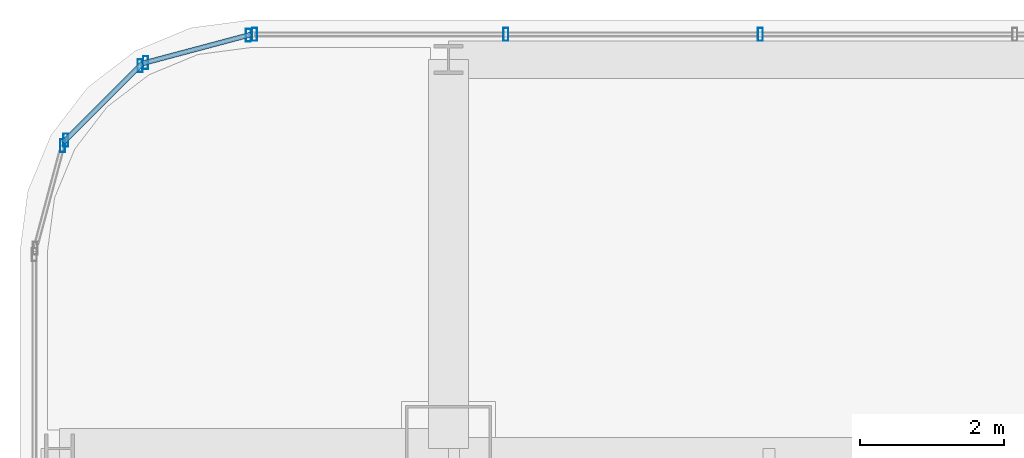
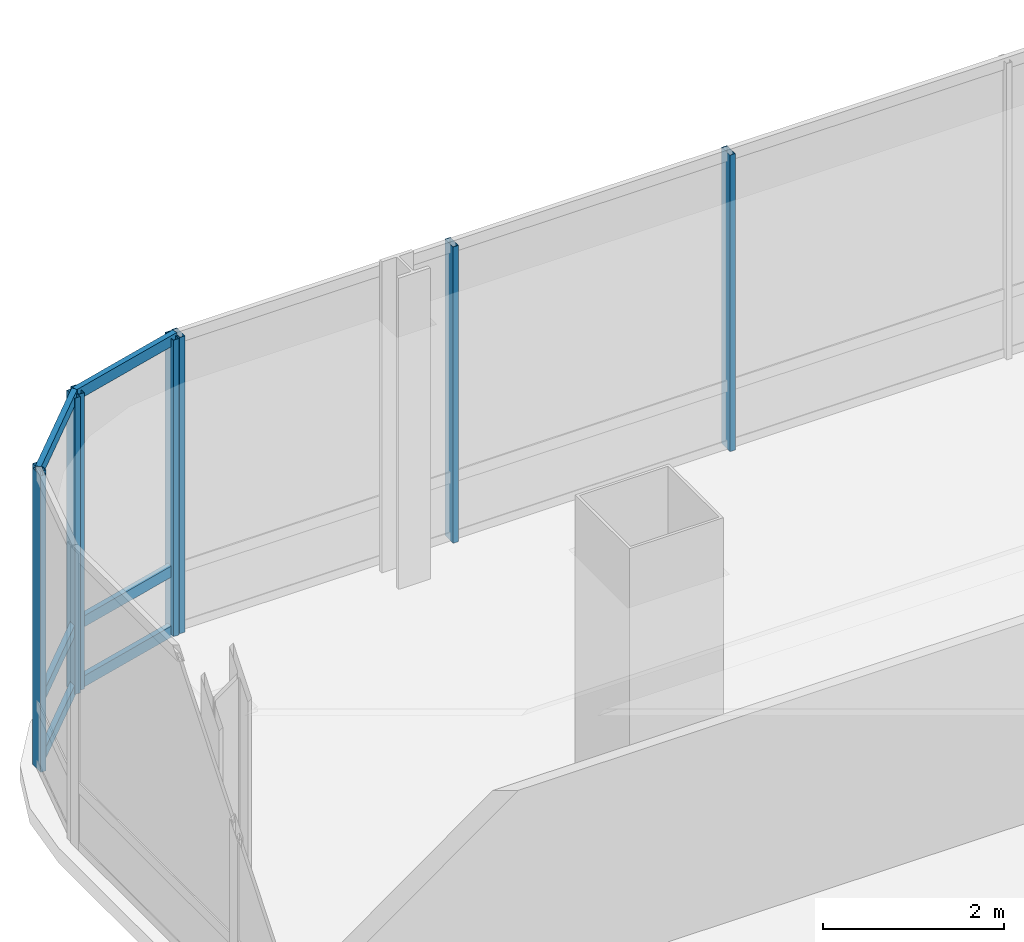
# One storey, part 23 of 41: 14 members, 4 elements without a shape of their own.
"""IFC4 building model written with IfcOpenShell, lengths in metres."""

import ifcopenshell
import ifcopenshell.guid

model = None  # the IFC model being written
_history = None  # IfcOwnerHistory: only IFC2X3 demands one
_inside = {}  # id of a spatial element -> (the spatial element, [elements in it])
_under = {}  # id of a project, library or spatial element -> (it, [spatial elements below it])
_declared = {}  # id of a project -> (the project, [libraries it declares])
_typed = {}  # id of a type object -> (the type object, [elements of that type])
_made_of = {}  # id of a material, layer set ... -> (it, [elements and type objects made of it])


def new_model(schema):
    """Start an empty IFC model of exactly this schema.

    Asked for "IFC4X3", IfcOpenShell would pick the latest addendum, in which some entities
    have other attributes; the version numbers below select the first issue.
    IFC2X3 requires an IfcOwnerHistory on every rooted entity: one is made here for all.
    """
    global model, _history
    if schema == "IFC4X3":
        model = ifcopenshell.file(schema_version=(4, 3, 0, 0))
    else:
        model = ifcopenshell.file(schema=schema)
    _inside.clear()
    _under.clear()
    _declared.clear()
    _typed.clear()
    _made_of.clear()
    _history = None
    if model.schema == "IFC2X3":
        org = make("IfcOrganization", Name="unknown")
        user = make(
            "IfcPersonAndOrganization",
            ThePerson=make("IfcPerson", FamilyName="unknown"),
            TheOrganization=org,
        )
        app = make(
            "IfcApplication",
            ApplicationDeveloper=org,
            Version="unknown",
            ApplicationFullName="unknown",
            ApplicationIdentifier="unknown",
        )
        _history = make(
            "IfcOwnerHistory",
            OwningUser=user,
            OwningApplication=app,
            ChangeAction="ADDED",
            CreationDate=0,
        )
    return model


def make(cls, **values):
    """One entity of the class cls with the attributes given. An attribute that is None is left unset."""
    return model.create_entity(
        cls, **{name: value for name, value in values.items() if value is not None}
    )


def rooted(cls, **values):
    """An entity with a GlobalId (a new one), such as an element, a storey or a relation."""
    return make(cls, GlobalId=ifcopenshell.guid.new(), OwnerHistory=_history, **values)


def si_unit(unit_type, name, prefix=None):
    """IfcSIUnit, for example si_unit("LENGTHUNIT", "METRE", prefix="MILLI")."""
    return make("IfcSIUnit", UnitType=unit_type, Prefix=prefix, Name=name)


def assignment(units):
    """IfcUnitAssignment: the units of a project."""
    return None if units is None else make("IfcUnitAssignment", Units=units)


def point(xyz):
    """IfcCartesianPoint."""
    return None if xyz is None else make("IfcCartesianPoint", Coordinates=xyz)


def direction(xyz):
    """IfcDirection."""
    return None if xyz is None else make("IfcDirection", DirectionRatios=xyz)


def frame(location, z_axis=None, x_axis=None):
    """IfcAxis2Placement3D, a coordinate frame: its origin and axes. An axis left out is left unset."""
    return make(
        "IfcAxis2Placement3D",
        Location=point(location),
        Axis=direction(z_axis),
        RefDirection=direction(x_axis),
    )


def frame_2d(location, x_axis=None):
    """IfcAxis2Placement2D, a coordinate frame in the plane: its origin and x axis."""
    return make(
        "IfcAxis2Placement2D", Location=point(location), RefDirection=direction(x_axis)
    )


def origin():
    """The frame at (0, 0, 0) with its axes left unset."""
    return frame((0.0, 0.0, 0.0))


def origin_2d():
    """The frame at (0, 0) in the plane with its x axis left unset."""
    return frame_2d((0.0, 0.0))


def place(relative_to, where):
    """IfcLocalPlacement: puts the frame where relative to a parent placement (None: the world)."""
    return make(
        "IfcLocalPlacement", PlacementRelTo=relative_to, RelativePlacement=where
    )


def context(
    kind, dimensions, precision=None, world=None, true_north=None, identifier=None
):
    """IfcGeometricRepresentationContext, for example the 3D "Model" context."""
    return make(
        "IfcGeometricRepresentationContext",
        ContextIdentifier=identifier,
        ContextType=kind,
        CoordinateSpaceDimension=dimensions,
        Precision=precision,
        WorldCoordinateSystem=world,
        TrueNorth=true_north,
    )


def subcontext(parent, identifier, kind, view, scale=None):
    """IfcGeometricRepresentationSubContext, for example "Body" below "Model"."""
    return make(
        "IfcGeometricRepresentationSubContext",
        ContextIdentifier=identifier,
        ContextType=kind,
        ParentContext=parent,
        TargetScale=scale,
        TargetView=view,
    )


def project(units=None, contexts=None):
    """IfcProject with its units and contexts."""
    return rooted(
        "IfcProject",
        Name="project",
        RepresentationContexts=contexts,
        UnitsInContext=assignment(units),
    )


def spatial(cls, under=None, at=None, **own):
    """A site, building, storey or space (cls), placed at a placement, below another one or the project."""
    s = rooted(cls, ObjectPlacement=at, **own)
    if under is not None:
        _under.setdefault(under.id(), (under, []))[1].append(s)
    return s


def profile(cls, at=None, kind="AREA", **sizes):
    """A parametric profile (cls). Its sizes go by their IFC names, for example OverallWidth=200.0."""
    return make(cls, ProfileType=kind, Position=at, **sizes)


def hollow_rectangle(**sizes):
    """IfcRectangleHollowProfileDef."""
    return profile("IfcRectangleHollowProfileDef", **sizes)


def extrude(swept, where, along, depth):
    """IfcExtrudedAreaSolid: the profile swept, set in the frame where, extruded along a direction by depth."""
    return make(
        "IfcExtrudedAreaSolid",
        SweptArea=swept,
        Position=where,
        ExtrudedDirection=direction(along),
        Depth=depth,
    )


def shape(context_of_items, identifier, shape_type, items):
    """IfcShapeRepresentation: the items that make up one representation, for example the "Body"."""
    return make(
        "IfcShapeRepresentation",
        ContextOfItems=context_of_items,
        RepresentationIdentifier=identifier,
        RepresentationType=shape_type,
        Items=items,
    )


def material(Name=None, Category=None):
    """IfcMaterial."""
    return make("IfcMaterial", Name=Name, Category=Category)


def material_profile(
    of_material, cross_section, Name=None, Category=None, Priority=None
):
    """IfcMaterialProfile: a cross section and its material."""
    return make(
        "IfcMaterialProfile",
        Name=Name,
        Material=of_material,
        Profile=cross_section,
        Priority=Priority,
        Category=Category,
    )


def profile_set(profiles, Name=None, composite=None):
    """IfcMaterialProfileSet."""
    return make(
        "IfcMaterialProfileSet",
        Name=Name,
        MaterialProfiles=profiles,
        CompositeProfile=composite,
    )


def made_of(thing, what):
    """Note that an element or type object is made of a material, layer set ...; save() writes the relation."""
    if what is not None:
        _made_of.setdefault(what.id(), (what, []))[1].append(thing)
    return thing


def type_object(cls, material=None, **own):
    """A type object (cls), such as IfcWallType, which elements share."""
    return made_of(rooted(cls, **own), material)


def element(
    cls,
    number,
    at=None,
    inside=None,
    cuts=None,
    type_object=None,
    material=None,
    context=None,
    identifier="Body",
    shape_type=None,
    held_by="IfcProductDefinitionShape",
    body=None,
    shapes=None,
    **own,
):
    """One element of the class cls, such as IfcWall. Its Tag is "e" and its number.

    at: its placement. inside: the storey or other place that contains it. cuts: it is an
    opening in that element (IfcRelVoidsElement). A single representation is given by context,
    identifier, shape_type and body (its items); several are given by shapes. held_by: the class
    of the entity that holds the representations. save() writes the other relations.
    """
    e = rooted(cls, Tag="e%d" % number, ObjectPlacement=at, **own)
    if body is not None:
        shapes = [shape(context, identifier, shape_type, body)]
    if shapes is not None:
        e.Representation = make(held_by, Representations=shapes)
    if inside is not None:
        _inside.setdefault(inside.id(), (inside, []))[1].append(e)
    if cuts is not None:
        rooted(
            "IfcRelVoidsElement", RelatingBuildingElement=cuts, RelatedOpeningElement=e
        )
    if type_object is not None:
        _typed.setdefault(type_object.id(), (type_object, []))[1].append(e)
    return made_of(e, material)


def aggregate(whole, parts):
    """IfcRelAggregates: a whole, such as a stair, and the parts it consists of."""
    return rooted("IfcRelAggregates", RelatingObject=whole, RelatedObjects=parts)


def save(model, path):
    """Write the relations noted so far, then the file.

    IfcRelAggregates (storeys below a building ...), IfcRelContainedInSpatialStructure (elements
    in a storey), IfcRelDefinesByType, IfcRelAssociatesMaterial and IfcRelDeclares: one each for
    every whole, place, type object, material and project.
    """
    for whole, parts in _under.values():
        aggregate(whole, parts)
    for where, things in _inside.values():
        rooted(
            "IfcRelContainedInSpatialStructure",
            RelatedElements=things,
            RelatingStructure=where,
        )
    for kind, things in _typed.values():
        rooted("IfcRelDefinesByType", RelatedObjects=things, RelatingType=kind)
    for what, things in _made_of.values():
        rooted("IfcRelAssociatesMaterial", RelatedObjects=things, RelatingMaterial=what)
    for by, libraries in _declared.values():
        rooted("IfcRelDeclares", RelatingContext=by, RelatedDefinitions=libraries)
    model.write(path)


model = new_model("IFC4")

# Units and contexts
model_context = context("Model", 3, precision=1e-05, world=origin(), true_north=direction((0.0, 1.0)))
body_context = subcontext(model_context, "Body", "Model", "MODEL_VIEW")
ifc_project = project(units=[si_unit("LENGTHUNIT", "METRE"), si_unit("AREAUNIT", "SQUARE_METRE"), si_unit("VOLUMEUNIT", "CUBIC_METRE"), si_unit("PLANEANGLEUNIT", "RADIAN"), si_unit("MASSUNIT", "GRAM", prefix="KILO")], contexts=[model_context])

# Site, building, storey
site_placement = place(None, origin())
site = spatial("IfcSite", under=ifc_project, at=site_placement, CompositionType="ELEMENT")
building_placement = place(site_placement, origin())
building = spatial("IfcBuilding", under=site, at=building_placement, Name="Punatoya Terracotta Tower", CompositionType="ELEMENT")
storey_placement = place(building_placement, frame((0.0, 0.0, 292.199951171875)))
storey = spatial("IfcBuildingStorey", under=building, at=storey_placement, Name="L69", CompositionType="ELEMENT", Elevation=292.199951171875)

# Curtain wall, members
ifc_material_1 = material(Name="Aluminium 6063-T6 + Double Low-E Glass", Category="aluminium")
curtain_wall_type = type_object("IfcCurtainWallType", Name="CW-M3", PredefinedType="NOTDEFINED", material=ifc_material_1)
curtain_wall_1_placement = place(storey_placement, origin())
curtain_wall_1 = element("IfcCurtainWall", 1, at=curtain_wall_1_placement, inside=storey, type_object=curtain_wall_type, Name="L69 Curtain Wall CW-L69-N09-1", PredefinedType="NOTDEFINED")
ifc_material_2 = material(Name="Aluminium 6063-T6", Category="aluminium")
ifc_material_profile_1 = material_profile(ifc_material_2, hollow_rectangle(XDim=0.070068359375, YDim=0.179931640625, WallThickness=0.00390625, at=origin_2d()))
ifc_profile_set_1 = profile_set([ifc_material_profile_1], Name="Aluminium 6063-T6")
member_type_1 = type_object("IfcMemberType", Name="CW-MUL-M3", PredefinedType="MULLION", material=ifc_profile_set_1)
member_1_placement = place(storey_placement, frame((-14.768798828125, 23.25, 0.0), z_axis=(0.0, 0.0, 1.0), x_axis=(1.0, 0.0, 0.0)))
member_1 = element("IfcMember", 2, at=member_1_placement, type_object=member_type_1, Name="CW-L69-N09-1 Mullion 09", PredefinedType="MULLION", context=body_context, shape_type="SweptSolid", body=[
    extrude(hollow_rectangle(XDim=0.070068359375, YDim=0.179931640625, WallThickness=0.00390625, at=origin_2d()), origin(), (0.0, 0.0, 1.0), 4.0),
])
member_2_placement = place(storey_placement, frame((-18.302978515625, 23.25, 0.0), z_axis=(0.0, 0.0, 1.0), x_axis=(1.0, 0.0, 0.0)))
member_2 = element("IfcMember", 3, at=member_2_placement, type_object=member_type_1, Name="CW-L69-N09-1 Mullion 10", PredefinedType="MULLION", context=body_context, shape_type="SweptSolid", body=[
    extrude(hollow_rectangle(XDim=0.070068359375, YDim=0.179931640625, WallThickness=0.00390625, at=origin_2d()), origin(), (0.0, 0.0, 1.0), 4.0),
])
member_3_placement = place(storey_placement, frame((-21.7919921875, 23.25, 0.0), z_axis=(0.0, 0.0, 1.0), x_axis=(1.0, 0.0, 0.0)))
member_3 = element("IfcMember", 4, at=member_3_placement, type_object=member_type_1, Name="CW-L69-N09-1 Mullion 11", PredefinedType="MULLION", context=body_context, shape_type="SweptSolid", body=[
    extrude(hollow_rectangle(XDim=0.070068359375, YDim=0.179931640625, WallThickness=0.00390625, at=origin_2d()), origin(), (0.0, 0.0, 1.0), 4.0),
])
aggregate(curtain_wall_1, [member_1, member_2, member_3])

curtain_wall_2_placement = place(storey_placement, origin())
curtain_wall_2 = element("IfcCurtainWall", 5, at=curtain_wall_2_placement, inside=storey, type_object=curtain_wall_type, Name="L69 Curtain Wall CW-L69-CRN10", PredefinedType="NOTDEFINED")
member_4_placement = place(storey_placement, frame((-21.88037109375, 23.23828125, 0.0), z_axis=(0.0, 0.0, 1.0), x_axis=(1.0, 0.0, 0.0)))
member_4 = element("IfcMember", 6, at=member_4_placement, type_object=member_type_1, Name="CW-L69-CRN10 Mullion 00", PredefinedType="MULLION", context=body_context, shape_type="SweptSolid", body=[
    extrude(hollow_rectangle(XDim=0.070068359375, YDim=0.179931640625, WallThickness=0.00390625, at=origin_2d()), origin(), (0.0, 0.0, 1.0), 4.0),
])
member_5_placement = place(storey_placement, frame((-23.3056640625, 22.858154296875, 0.0), z_axis=(0.0, 0.0, 1.0), x_axis=(1.0, 0.0, 0.0)))
member_5 = element("IfcMember", 7, at=member_5_placement, type_object=member_type_1, Name="CW-L69-CRN10 Mullion 01", PredefinedType="MULLION", context=body_context, shape_type="SweptSolid", body=[
    extrude(hollow_rectangle(XDim=0.070068359375, YDim=0.179931640625, WallThickness=0.00390625, at=origin_2d()), origin(), (0.0, 0.0, 1.0), 4.0),
])

curtain_wall_3_placement = place(storey_placement, origin())
curtain_wall_3 = element("IfcCurtainWall", 8, at=curtain_wall_3_placement, inside=storey, type_object=curtain_wall_type, Name="L69 Curtain Wall CW-L69-CRN11", PredefinedType="NOTDEFINED")
member_6_placement = place(storey_placement, frame((-23.380859375, 22.814697265625, 0.0), z_axis=(0.0, 0.0, 1.0), x_axis=(1.0, 0.0, 0.0)))
member_6 = element("IfcMember", 9, at=member_6_placement, type_object=member_type_1, Name="CW-L69-CRN11 Mullion 00", PredefinedType="MULLION", context=body_context, shape_type="SweptSolid", body=[
    extrude(hollow_rectangle(XDim=0.070068359375, YDim=0.179931640625, WallThickness=0.00390625, at=origin_2d()), origin(), (0.0, 0.0, 1.0), 4.0),
])
member_7_placement = place(storey_placement, frame((-24.414794921875, 21.781005859375, 0.0), z_axis=(0.0, 0.0, 1.0), x_axis=(1.0, 0.0, 0.0)))
member_7 = element("IfcMember", 10, at=member_7_placement, type_object=member_type_1, Name="CW-L69-CRN11 Mullion 01", PredefinedType="MULLION", context=body_context, shape_type="SweptSolid", body=[
    extrude(hollow_rectangle(XDim=0.070068359375, YDim=0.179931640625, WallThickness=0.00390625, at=origin_2d()), origin(), (0.0, 0.0, 1.0), 4.0),
])

# Curtain wall, member
curtain_wall_4_placement = place(storey_placement, origin())
curtain_wall_4 = element("IfcCurtainWall", 11, at=curtain_wall_4_placement, inside=storey, type_object=curtain_wall_type, Name="L69 Curtain Wall CW-L69-CRN12", PredefinedType="NOTDEFINED")
member_8_placement = place(storey_placement, frame((-24.458251953125, 21.70556640625, 0.0), z_axis=(0.0, 0.0, 1.0), x_axis=(1.0, 0.0, 0.0)))
member_8 = element("IfcMember", 12, at=member_8_placement, type_object=member_type_1, Name="CW-L69-CRN12 Mullion 00", PredefinedType="MULLION", context=body_context, shape_type="SweptSolid", body=[
    extrude(hollow_rectangle(XDim=0.070068359375, YDim=0.179931640625, WallThickness=0.00390625, at=origin_2d()), origin(), (0.0, 0.0, 1.0), 4.0),
])
aggregate(curtain_wall_4, [member_8])

# Member
ifc_material_profile_2 = material_profile(ifc_material_2, hollow_rectangle(XDim=0.068115234375, YDim=0.14990234375, WallThickness=0.00390625, at=origin_2d()))
ifc_profile_set_2 = profile_set([ifc_material_profile_2], Name="Aluminium 6063-T6")
member_type_2 = type_object("IfcMemberType", Name="CW-TRN-TYP", PredefinedType="USERDEFINED", material=ifc_profile_set_2)
member_9_placement = place(storey_placement, frame((-21.8369140625, 23.25, 0.0400390625), z_axis=(-0.966224582397, -0.257701486942, 0.0), x_axis=(0.257701486942, -0.966224582397, 0.0)))
member_9 = element("IfcMember", 13, at=member_9_placement, type_object=member_type_2, Name="CW-L69-CRN10 Transom 1", ObjectType="TRANSOM", PredefinedType="USERDEFINED", context=body_context, shape_type="SweptSolid", body=[
    extrude(hollow_rectangle(XDim=0.068115234375, YDim=0.14990234375, WallThickness=0.00390625, at=origin_2d()), origin(), (0.0, 0.0, 1.0), 1.565185546875),
])

member_10_placement = place(storey_placement, frame((-21.8369140625, 23.25, 0.85009765625), z_axis=(-0.966224582397, -0.257701486942, 0.0), x_axis=(0.257701486942, -0.966224582397, 0.0)))
member_10 = element("IfcMember", 14, at=member_10_placement, type_object=member_type_2, Name="CW-L69-CRN10 Transom 2", ObjectType="TRANSOM", PredefinedType="USERDEFINED", context=body_context, shape_type="SweptSolid", body=[
    extrude(hollow_rectangle(XDim=0.068115234375, YDim=0.14990234375, WallThickness=0.00390625, at=origin_2d()), origin(), (0.0, 0.0, 1.0), 1.565185546875),
])

member_11_placement = place(storey_placement, frame((-21.8369140625, 23.25, 3.9599609375), z_axis=(-0.966224582397, -0.257701486942, 0.0), x_axis=(0.257701486942, -0.966224582397, 0.0)))
member_11 = element("IfcMember", 15, at=member_11_placement, type_object=member_type_2, Name="CW-L69-CRN10 Transom 3", ObjectType="TRANSOM", PredefinedType="USERDEFINED", context=body_context, shape_type="SweptSolid", body=[
    extrude(hollow_rectangle(XDim=0.068115234375, YDim=0.14990234375, WallThickness=0.00390625, at=origin_2d()), origin(), (0.0, 0.0, 1.0), 1.565185546875),
])

aggregate(curtain_wall_2, [member_4, member_5, member_9, member_10, member_11])

member_12_placement = place(storey_placement, frame((-23.34912109375, 22.8466796875, 0.0400390625), z_axis=(-0.707028130747, -0.707185422879, 0.0), x_axis=(0.707185422879, -0.707028130747, 0.0)))
member_12 = element("IfcMember", 16, at=member_12_placement, type_object=member_type_2, Name="CW-L69-CRN11 Transom 1", ObjectType="TRANSOM", PredefinedType="USERDEFINED", context=body_context, shape_type="SweptSolid", body=[
    extrude(hollow_rectangle(XDim=0.068115234375, YDim=0.14990234375, WallThickness=0.00390625, at=origin_2d()), origin(), (0.0, 0.0, 1.0), 1.55224609375),
])

member_13_placement = place(storey_placement, frame((-23.34912109375, 22.8466796875, 0.85009765625), z_axis=(-0.707028130747, -0.707185422879, 0.0), x_axis=(0.707185422879, -0.707028130747, 0.0)))
member_13 = element("IfcMember", 17, at=member_13_placement, type_object=member_type_2, Name="CW-L69-CRN11 Transom 2", ObjectType="TRANSOM", PredefinedType="USERDEFINED", context=body_context, shape_type="SweptSolid", body=[
    extrude(hollow_rectangle(XDim=0.068115234375, YDim=0.14990234375, WallThickness=0.00390625, at=origin_2d()), origin(), (0.0, 0.0, 1.0), 1.55224609375),
])

member_14_placement = place(storey_placement, frame((-23.34912109375, 22.8466796875, 3.9599609375), z_axis=(-0.707028130747, -0.707185422879, 0.0), x_axis=(0.707185422879, -0.707028130747, 0.0)))
member_14 = element("IfcMember", 18, at=member_14_placement, type_object=member_type_2, Name="CW-L69-CRN11 Transom 3", ObjectType="TRANSOM", PredefinedType="USERDEFINED", context=body_context, shape_type="SweptSolid", body=[
    extrude(hollow_rectangle(XDim=0.068115234375, YDim=0.14990234375, WallThickness=0.00390625, at=origin_2d()), origin(), (0.0, 0.0, 1.0), 1.55224609375),
])

aggregate(curtain_wall_3, [member_6, member_7, member_12, member_13, member_14])

save(model, "model.ifc")
